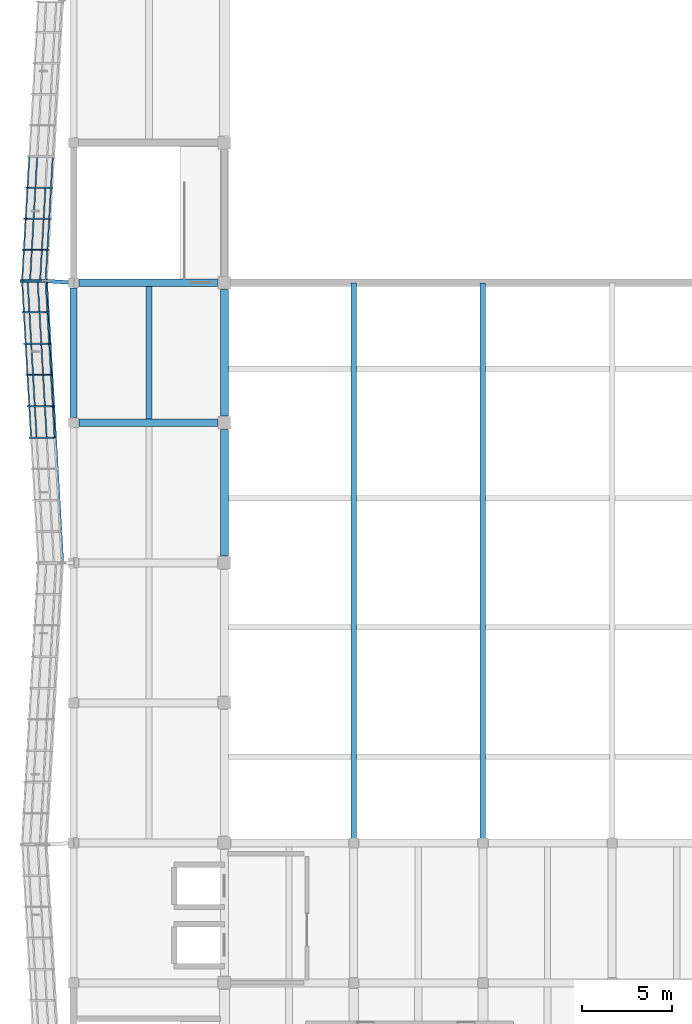
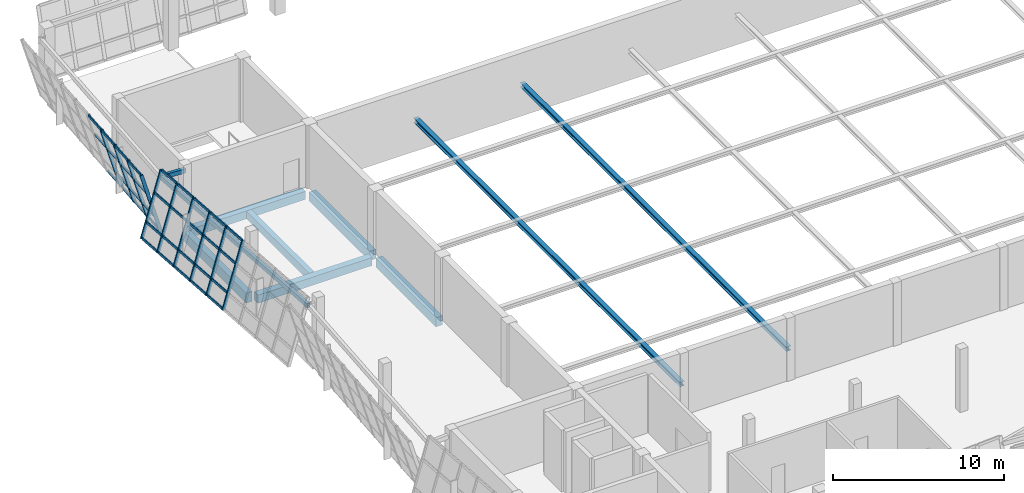
# One storey, part 15 of 67: 45 members, 10 beams, 2 elements without a shape of their own.
"""IFC4 building model written with IfcOpenShell, lengths in metres."""

from ifc_helpers import new_model, si_unit, direction, frame, origin, origin_2d, place, context, subcontext, project, spatial, rectangle, hollow_rectangle, i_section, extrude, material, material_profile, profile_set, type_object, element, aggregate, save


model = new_model("IFC4")

# Units and contexts
model_context = context("Model", 3, precision=1e-05, world=origin(), true_north=direction((0.0, 1.0)))
body_context = subcontext(model_context, "Body", "Model", "MODEL_VIEW")
ifc_project = project(units=[si_unit("LENGTHUNIT", "METRE"), si_unit("AREAUNIT", "SQUARE_METRE"), si_unit("VOLUMEUNIT", "CUBIC_METRE"), si_unit("PLANEANGLEUNIT", "RADIAN"), si_unit("MASSUNIT", "GRAM", prefix="KILO")], contexts=[model_context])

# Site, building, storey
site_placement = place(None, origin())
site = spatial("IfcSite", under=ifc_project, at=site_placement, CompositionType="ELEMENT")
building_placement = place(site_placement, origin())
building = spatial("IfcBuilding", under=site, at=building_placement, Name="Pellamere Symphony Hall", CompositionType="ELEMENT")
storey_placement = place(building_placement, frame((0.0, 0.0, 19.5)))
storey = spatial("IfcBuildingStorey", under=building, at=storey_placement, Name="L04", CompositionType="ELEMENT", Elevation=19.5)

# Curtain wall, members
ifc_material_1 = material(Name="Thermally Broken Anodised Aluminium 6063-T6 Curtain Wall", Category="aluminium")
curtain_wall_type = type_object("IfcCurtainWallType", Name="Curtain Wall CW-01 (Tilted Faceted Crystal Low-Iron Curtain Wall)", PredefinedType="NOTDEFINED", material=ifc_material_1)
curtain_wall_1_placement = place(storey_placement, origin())
curtain_wall_1 = element("IfcCurtainWall", 1, at=curtain_wall_1_placement, inside=storey, type_object=curtain_wall_type, Name="Crystal Faceted Curtain Wall CW-CR15 (L04)", PredefinedType="NOTDEFINED")
ifc_material_2 = material(Name="Anodised Architectural Aluminium 6063-T6", Category="aluminium")
ifc_material_profile_1 = material_profile(ifc_material_2, hollow_rectangle(XDim=0.074951171875, YDim=0.219970703125, WallThickness=0.0048828125, at=origin_2d()), Name="ALU-M75X220X5")
ifc_profile_set_1 = profile_set([ifc_material_profile_1], Name="Anodised Architectural Aluminium 6063-T6")
member_type_1 = type_object("IfcMemberType", Name="Curtain Wall Mullion ML-01 ALU-M75X220X5", PredefinedType="MULLION", material=ifc_profile_set_1)
member_1_placement = place(storey_placement, frame((49.14990234375, 82.699951171875, 0.0), z_axis=(-0.284024567884, 0.0, 0.95881700279), x_axis=(-0.055224537145, -0.998339941676, -0.01635883099)))
member_1 = element("IfcMember", 2, at=member_1_placement, type_object=member_type_1, Name="CW1-041 crystal mullion 7", PredefinedType="MULLION", context=body_context, shape_type="SweptSolid", body=[
    extrude(hollow_rectangle(XDim=0.074951171875, YDim=0.219970703125, WallThickness=0.0048828125, at=origin_2d()), origin(), (0.0, 0.0, 1.0), 4.693359375),
])
member_2_placement = place(storey_placement, frame((49.050048828125, 80.966552734375, 0.0), z_axis=(-0.284024567884, 0.0, 0.95881700279), x_axis=(-0.055224537145, -0.998339941676, -0.01635883099)))
member_2 = element("IfcMember", 3, at=member_2_placement, type_object=member_type_1, Name="CW1-041 crystal mullion 8", PredefinedType="MULLION", context=body_context, shape_type="SweptSolid", body=[
    extrude(hollow_rectangle(XDim=0.074951171875, YDim=0.219970703125, WallThickness=0.0048828125, at=origin_2d()), origin(), (0.0, 0.0, 1.0), 4.693359375),
])
member_3_placement = place(storey_placement, frame((48.949951171875, 79.2333984375, 0.0), z_axis=(-0.284024567884, 0.0, 0.95881700279), x_axis=(-0.055224537145, -0.998339941676, -0.01635883099)))
member_3 = element("IfcMember", 4, at=member_3_placement, type_object=member_type_1, Name="CW1-041 crystal mullion 9", PredefinedType="MULLION", context=body_context, shape_type="SweptSolid", body=[
    extrude(hollow_rectangle(XDim=0.074951171875, YDim=0.219970703125, WallThickness=0.0048828125, at=origin_2d()), origin(), (0.0, 0.0, 1.0), 4.693359375),
])
member_4_placement = place(storey_placement, frame((48.85205078125, 77.537353515625, 0.0), z_axis=(-0.284024567884, 0.0, 0.95881700279), x_axis=(-0.055224537145, -0.998339941676, -0.01635883099)))
member_4 = element("IfcMember", 5, at=member_4_placement, type_object=member_type_1, Name="CW1-041 crystal mullion 10", PredefinedType="MULLION", context=body_context, shape_type="SweptSolid", body=[
    extrude(hollow_rectangle(XDim=0.074951171875, YDim=0.219970703125, WallThickness=0.0048828125, at=origin_2d()), origin(), (0.0, 0.0, 1.0), 4.693359375),
])

curtain_wall_2_placement = place(storey_placement, origin())
curtain_wall_2 = element("IfcCurtainWall", 6, at=curtain_wall_2_placement, inside=storey, type_object=curtain_wall_type, Name="Crystal Faceted Curtain Wall CW-CR16 (L04)", PredefinedType="NOTDEFINED")
member_5_placement = place(storey_placement, frame((47.51904296875, 77.462646484375, 0.0), z_axis=(0.284024567884, 0.0, 0.95881700279), x_axis=(-0.054873944304, 0.99836096977, 0.016254976991)))
member_5 = element("IfcMember", 7, at=member_5_placement, type_object=member_type_1, Name="CW1-046 crystal mullion 1", PredefinedType="MULLION", context=body_context, shape_type="SweptSolid", body=[
    extrude(hollow_rectangle(XDim=0.074951171875, YDim=0.219970703125, WallThickness=0.0048828125, at=origin_2d()), origin(), (0.0, 0.0, 1.0), 4.693359375),
])
member_6_placement = place(storey_placement, frame((47.616943359375, 75.755615234375, 0.0), z_axis=(0.284024567884, 0.0, 0.95881700279), x_axis=(-0.054873944304, 0.99836096977, 0.016254976991)))
member_6 = element("IfcMember", 8, at=member_6_placement, type_object=member_type_1, Name="CW1-046 crystal mullion 2", PredefinedType="MULLION", context=body_context, shape_type="SweptSolid", body=[
    extrude(hollow_rectangle(XDim=0.074951171875, YDim=0.219970703125, WallThickness=0.0048828125, at=origin_2d()), origin(), (0.0, 0.0, 1.0), 4.693359375),
])
member_7_placement = place(storey_placement, frame((47.717041015625, 74.01123046875, 0.0), z_axis=(0.284024567884, 0.0, 0.95881700279), x_axis=(-0.054873944304, 0.99836096977, 0.016254976991)))
member_7 = element("IfcMember", 9, at=member_7_placement, type_object=member_type_1, Name="CW1-046 crystal mullion 3", PredefinedType="MULLION", context=body_context, shape_type="SweptSolid", body=[
    extrude(hollow_rectangle(XDim=0.074951171875, YDim=0.219970703125, WallThickness=0.0048828125, at=origin_2d()), origin(), (0.0, 0.0, 1.0), 4.693359375),
])
member_8_placement = place(storey_placement, frame((47.81689453125, 72.2666015625, 0.0), z_axis=(0.284024567884, 0.0, 0.95881700279), x_axis=(-0.054873944304, 0.99836096977, 0.016254976991)))
member_8 = element("IfcMember", 10, at=member_8_placement, type_object=member_type_1, Name="CW1-046 crystal mullion 4", PredefinedType="MULLION", context=body_context, shape_type="SweptSolid", body=[
    extrude(hollow_rectangle(XDim=0.074951171875, YDim=0.219970703125, WallThickness=0.0048828125, at=origin_2d()), origin(), (0.0, 0.0, 1.0), 4.693359375),
])
member_9_placement = place(storey_placement, frame((47.9169921875, 70.522216796875, 0.0), z_axis=(0.284024567884, 0.0, 0.95881700279), x_axis=(-0.054873944304, 0.99836096977, 0.016254976991)))
member_9 = element("IfcMember", 11, at=member_9_placement, type_object=member_type_1, Name="CW1-046 crystal mullion 5", PredefinedType="MULLION", context=body_context, shape_type="SweptSolid", body=[
    extrude(hollow_rectangle(XDim=0.074951171875, YDim=0.219970703125, WallThickness=0.0048828125, at=origin_2d()), origin(), (0.0, 0.0, 1.0), 4.693359375),
])
member_10_placement = place(storey_placement, frame((48.01708984375, 68.77783203125, 0.0), z_axis=(0.284024567884, 0.0, 0.95881700279), x_axis=(-0.054873944304, 0.99836096977, 0.016254976991)))
member_10 = element("IfcMember", 12, at=member_10_placement, type_object=member_type_1, Name="CW1-046 crystal mullion 6", PredefinedType="MULLION", context=body_context, shape_type="SweptSolid", body=[
    extrude(hollow_rectangle(XDim=0.074951171875, YDim=0.219970703125, WallThickness=0.0048828125, at=origin_2d()), origin(), (0.0, 0.0, 1.0), 4.693359375),
])

# Member
ifc_material_profile_2 = material_profile(ifc_material_2, hollow_rectangle(XDim=0.074951171875, YDim=0.179931640625, WallThickness=0.0048828125, at=origin_2d()), Name="ALU-T75X180X5")
ifc_profile_set_2 = profile_set([ifc_material_profile_2], Name="Anodised Architectural Aluminium 6063-T6")
member_type_2 = type_object("IfcMemberType", Name="Curtain Wall Transom TR-01 ALU-T75X180X5", PredefinedType="USERDEFINED", material=ifc_profile_set_2)
member_11_placement = place(storey_placement, frame((49.2373046875, 84.39599609375, 0.035888671875), z_axis=(-0.057610619545, -0.998339129012, 0.0), x_axis=(0.998339129012, -0.057610619545, 0.0)))
member_11 = element("IfcMember", 13, at=member_11_placement, type_object=member_type_2, Name="CW1-041 crystal transom 6.1", ObjectType="TRANSOM", PredefinedType="USERDEFINED", context=body_context, shape_type="SweptSolid", body=[
    extrude(hollow_rectangle(XDim=0.074951171875, YDim=0.179931640625, WallThickness=0.0048828125, at=origin_2d()), origin(), (0.0, 0.0, 1.0), 1.6611328125),
])

member_12_placement = place(storey_placement, frame((48.3681640625, 84.39599609375, 2.969970703125), z_axis=(-0.057610619545, -0.998339129012, 0.0), x_axis=(0.998339129012, -0.057610619545, 0.0)))
member_12 = element("IfcMember", 14, at=member_12_placement, type_object=member_type_2, Name="CW1-041 crystal transom 6.3", ObjectType="TRANSOM", PredefinedType="USERDEFINED", context=body_context, shape_type="SweptSolid", body=[
    extrude(hollow_rectangle(XDim=0.074951171875, YDim=0.179931640625, WallThickness=0.0048828125, at=origin_2d()), origin(), (0.0, 0.0, 1.0), 1.6611328125),
])

member_13_placement = place(storey_placement, frame((47.925537109375, 84.39599609375, 4.464111328125), z_axis=(-0.057610619545, -0.998339129012, 0.0), x_axis=(0.998339129012, -0.057610619545, 0.0)))
member_13 = element("IfcMember", 15, at=member_13_placement, type_object=member_type_2, Name="CW1-041 crystal transom 6.4", ObjectType="TRANSOM", PredefinedType="USERDEFINED", context=body_context, shape_type="SweptSolid", body=[
    extrude(hollow_rectangle(XDim=0.074951171875, YDim=0.179931640625, WallThickness=0.0048828125, at=origin_2d()), origin(), (0.0, 0.0, 1.0), 1.6611328125),
])

member_14_placement = place(storey_placement, frame((49.13720703125, 82.66259765625, 0.035888671875), z_axis=(-0.057610619545, -0.998339129012, 0.0), x_axis=(0.998339129012, -0.057610619545, 0.0)))
member_14 = element("IfcMember", 16, at=member_14_placement, type_object=member_type_2, Name="CW1-041 crystal transom 7.1", ObjectType="TRANSOM", PredefinedType="USERDEFINED", context=body_context, shape_type="SweptSolid", body=[
    extrude(hollow_rectangle(XDim=0.074951171875, YDim=0.179931640625, WallThickness=0.0048828125, at=origin_2d()), origin(), (0.0, 0.0, 1.0), 1.6611328125),
])

member_15_placement = place(storey_placement, frame((48.827880859375, 82.66259765625, 1.080078125), z_axis=(-0.057610619545, -0.998339129012, 0.0), x_axis=(0.998339129012, -0.057610619545, 0.0)))
member_15 = element("IfcMember", 17, at=member_15_placement, type_object=member_type_2, Name="CW1-041 crystal transom 7.2", ObjectType="TRANSOM", PredefinedType="USERDEFINED", context=body_context, shape_type="SweptSolid", body=[
    extrude(hollow_rectangle(XDim=0.074951171875, YDim=0.179931640625, WallThickness=0.0048828125, at=origin_2d()), origin(), (0.0, 0.0, 1.0), 1.6611328125),
])

member_16_placement = place(storey_placement, frame((48.26806640625, 82.66259765625, 2.969970703125), z_axis=(-0.057610619545, -0.998339129012, 0.0), x_axis=(0.998339129012, -0.057610619545, 0.0)))
member_16 = element("IfcMember", 18, at=member_16_placement, type_object=member_type_2, Name="CW1-041 crystal transom 7.3", ObjectType="TRANSOM", PredefinedType="USERDEFINED", context=body_context, shape_type="SweptSolid", body=[
    extrude(hollow_rectangle(XDim=0.074951171875, YDim=0.179931640625, WallThickness=0.0048828125, at=origin_2d()), origin(), (0.0, 0.0, 1.0), 1.6611328125),
])

member_17_placement = place(storey_placement, frame((47.825439453125, 82.66259765625, 4.464111328125), z_axis=(-0.057610619545, -0.998339129012, 0.0), x_axis=(0.998339129012, -0.057610619545, 0.0)))
member_17 = element("IfcMember", 19, at=member_17_placement, type_object=member_type_2, Name="CW1-041 crystal transom 7.4", ObjectType="TRANSOM", PredefinedType="USERDEFINED", context=body_context, shape_type="SweptSolid", body=[
    extrude(hollow_rectangle(XDim=0.074951171875, YDim=0.179931640625, WallThickness=0.0048828125, at=origin_2d()), origin(), (0.0, 0.0, 1.0), 1.6611328125),
])

member_18_placement = place(storey_placement, frame((49.037109375, 80.92919921875, 0.035888671875), z_axis=(-0.057610619545, -0.998339129012, 0.0), x_axis=(0.998339129012, -0.057610619545, 0.0)))
member_18 = element("IfcMember", 20, at=member_18_placement, type_object=member_type_2, Name="CW1-041 crystal transom 8.1", ObjectType="TRANSOM", PredefinedType="USERDEFINED", context=body_context, shape_type="SweptSolid", body=[
    extrude(hollow_rectangle(XDim=0.074951171875, YDim=0.179931640625, WallThickness=0.0048828125, at=origin_2d()), origin(), (0.0, 0.0, 1.0), 1.6611328125),
])

member_19_placement = place(storey_placement, frame((48.72802734375, 80.92919921875, 1.080078125), z_axis=(-0.057610619545, -0.998339129012, 0.0), x_axis=(0.998339129012, -0.057610619545, 0.0)))
member_19 = element("IfcMember", 21, at=member_19_placement, type_object=member_type_2, Name="CW1-041 crystal transom 8.2", ObjectType="TRANSOM", PredefinedType="USERDEFINED", context=body_context, shape_type="SweptSolid", body=[
    extrude(hollow_rectangle(XDim=0.074951171875, YDim=0.179931640625, WallThickness=0.0048828125, at=origin_2d()), origin(), (0.0, 0.0, 1.0), 1.6611328125),
])

member_20_placement = place(storey_placement, frame((48.16796875, 80.92919921875, 2.969970703125), z_axis=(-0.057610619545, -0.998339129012, 0.0), x_axis=(0.998339129012, -0.057610619545, 0.0)))
member_20 = element("IfcMember", 22, at=member_20_placement, type_object=member_type_2, Name="CW1-041 crystal transom 8.3", ObjectType="TRANSOM", PredefinedType="USERDEFINED", context=body_context, shape_type="SweptSolid", body=[
    extrude(hollow_rectangle(XDim=0.074951171875, YDim=0.179931640625, WallThickness=0.0048828125, at=origin_2d()), origin(), (0.0, 0.0, 1.0), 1.6611328125),
])

member_21_placement = place(storey_placement, frame((47.7255859375, 80.92919921875, 4.464111328125), z_axis=(-0.057610619545, -0.998339129012, 0.0), x_axis=(0.998339129012, -0.057610619545, 0.0)))
member_21 = element("IfcMember", 23, at=member_21_placement, type_object=member_type_2, Name="CW1-041 crystal transom 8.4", ObjectType="TRANSOM", PredefinedType="USERDEFINED", context=body_context, shape_type="SweptSolid", body=[
    extrude(hollow_rectangle(XDim=0.074951171875, YDim=0.179931640625, WallThickness=0.0048828125, at=origin_2d()), origin(), (0.0, 0.0, 1.0), 1.6611328125),
])

member_22_placement = place(storey_placement, frame((48.937255859375, 79.19580078125, 0.035888671875), z_axis=(-0.057593652861, -0.998340107954, 0.0), x_axis=(0.998340107954, -0.057593652861, 0.0)))
member_22 = element("IfcMember", 24, at=member_22_placement, type_object=member_type_2, Name="CW1-041 crystal transom 9.1", ObjectType="TRANSOM", PredefinedType="USERDEFINED", context=body_context, shape_type="SweptSolid", body=[
    extrude(hollow_rectangle(XDim=0.074951171875, YDim=0.179931640625, WallThickness=0.0048828125, at=origin_2d()), origin(), (0.0, 0.0, 1.0), 1.62353515625),
])

member_23_placement = place(storey_placement, frame((48.6279296875, 79.19580078125, 1.080078125), z_axis=(-0.057593652861, -0.998340107954, 0.0), x_axis=(0.998340107954, -0.057593652861, 0.0)))
member_23 = element("IfcMember", 25, at=member_23_placement, type_object=member_type_2, Name="CW1-041 crystal transom 9.2", ObjectType="TRANSOM", PredefinedType="USERDEFINED", context=body_context, shape_type="SweptSolid", body=[
    extrude(hollow_rectangle(XDim=0.074951171875, YDim=0.179931640625, WallThickness=0.0048828125, at=origin_2d()), origin(), (0.0, 0.0, 1.0), 1.62353515625),
])

member_24_placement = place(storey_placement, frame((48.068115234375, 79.19580078125, 2.969970703125), z_axis=(-0.057593652861, -0.998340107954, 0.0), x_axis=(0.998340107954, -0.057593652861, 0.0)))
member_24 = element("IfcMember", 26, at=member_24_placement, type_object=member_type_2, Name="CW1-041 crystal transom 9.3", ObjectType="TRANSOM", PredefinedType="USERDEFINED", context=body_context, shape_type="SweptSolid", body=[
    extrude(hollow_rectangle(XDim=0.074951171875, YDim=0.179931640625, WallThickness=0.0048828125, at=origin_2d()), origin(), (0.0, 0.0, 1.0), 1.62353515625),
])

member_25_placement = place(storey_placement, frame((47.62548828125, 79.19580078125, 4.464111328125), z_axis=(-0.057593652861, -0.998340107954, 0.0), x_axis=(0.998340107954, -0.057593652861, 0.0)))
member_25 = element("IfcMember", 27, at=member_25_placement, type_object=member_type_2, Name="CW1-041 crystal transom 9.4", ObjectType="TRANSOM", PredefinedType="USERDEFINED", context=body_context, shape_type="SweptSolid", body=[
    extrude(hollow_rectangle(XDim=0.074951171875, YDim=0.179931640625, WallThickness=0.0048828125, at=origin_2d()), origin(), (0.0, 0.0, 1.0), 1.62353515625),
])

aggregate(curtain_wall_1, [member_1, member_2, member_3, member_4, member_11, member_12, member_13, member_14, member_15, member_16, member_17, member_18, member_19, member_20, member_21, member_22, member_23, member_24, member_25])

member_26_placement = place(storey_placement, frame((47.531982421875, 77.425048828125, 0.035888671875), z_axis=(0.057198647566, -0.998362817175, 0.0), x_axis=(0.998362817175, 0.057198647566, 0.0)))
member_26 = element("IfcMember", 28, at=member_26_placement, type_object=member_type_2, Name="CW1-046 crystal transom 1.1", ObjectType="TRANSOM", PredefinedType="USERDEFINED", context=body_context, shape_type="SweptSolid", body=[
    extrude(hollow_rectangle(XDim=0.074951171875, YDim=0.179931640625, WallThickness=0.0048828125, at=origin_2d()), origin(), (0.0, 0.0, 1.0), 1.634765625),
])

member_27_placement = place(storey_placement, frame((47.84130859375, 77.425048828125, 1.080078125), z_axis=(0.057198647566, -0.998362817175, 0.0), x_axis=(0.998362817175, 0.057198647566, 0.0)))
member_27 = element("IfcMember", 29, at=member_27_placement, type_object=member_type_2, Name="CW1-046 crystal transom 1.2", ObjectType="TRANSOM", PredefinedType="USERDEFINED", context=body_context, shape_type="SweptSolid", body=[
    extrude(hollow_rectangle(XDim=0.074951171875, YDim=0.179931640625, WallThickness=0.0048828125, at=origin_2d()), origin(), (0.0, 0.0, 1.0), 1.634765625),
])

member_28_placement = place(storey_placement, frame((48.401123046875, 77.425048828125, 2.969970703125), z_axis=(0.057198647566, -0.998362817175, 0.0), x_axis=(0.998362817175, 0.057198647566, 0.0)))
member_28 = element("IfcMember", 30, at=member_28_placement, type_object=member_type_2, Name="CW1-046 crystal transom 1.3", ObjectType="TRANSOM", PredefinedType="USERDEFINED", context=body_context, shape_type="SweptSolid", body=[
    extrude(hollow_rectangle(XDim=0.074951171875, YDim=0.179931640625, WallThickness=0.0048828125, at=origin_2d()), origin(), (0.0, 0.0, 1.0), 1.634765625),
])

member_29_placement = place(storey_placement, frame((48.84375, 77.425048828125, 4.464111328125), z_axis=(0.057198647566, -0.998362817175, 0.0), x_axis=(0.998362817175, 0.057198647566, 0.0)))
member_29 = element("IfcMember", 31, at=member_29_placement, type_object=member_type_2, Name="CW1-046 crystal transom 1.4", ObjectType="TRANSOM", PredefinedType="USERDEFINED", context=body_context, shape_type="SweptSolid", body=[
    extrude(hollow_rectangle(XDim=0.074951171875, YDim=0.179931640625, WallThickness=0.0048828125, at=origin_2d()), origin(), (0.0, 0.0, 1.0), 1.634765625),
])

member_30_placement = place(storey_placement, frame((47.6298828125, 75.718017578125, 0.035888671875), z_axis=(0.057232737422, -0.998360863499, 0.0), x_axis=(0.998360863499, 0.057232737422, 0.0)))
member_30 = element("IfcMember", 32, at=member_30_placement, type_object=member_type_2, Name="CW1-046 crystal transom 2.1", ObjectType="TRANSOM", PredefinedType="USERDEFINED", context=body_context, shape_type="SweptSolid", body=[
    extrude(hollow_rectangle(XDim=0.074951171875, YDim=0.179931640625, WallThickness=0.0048828125, at=origin_2d()), origin(), (0.0, 0.0, 1.0), 1.672119140625),
])

member_31_placement = place(storey_placement, frame((47.93896484375, 75.718017578125, 1.080078125), z_axis=(0.057232737422, -0.998360863499, 0.0), x_axis=(0.998360863499, 0.057232737422, 0.0)))
member_31 = element("IfcMember", 33, at=member_31_placement, type_object=member_type_2, Name="CW1-046 crystal transom 2.2", ObjectType="TRANSOM", PredefinedType="USERDEFINED", context=body_context, shape_type="SweptSolid", body=[
    extrude(hollow_rectangle(XDim=0.074951171875, YDim=0.179931640625, WallThickness=0.0048828125, at=origin_2d()), origin(), (0.0, 0.0, 1.0), 1.672119140625),
])

member_32_placement = place(storey_placement, frame((48.4990234375, 75.718017578125, 2.969970703125), z_axis=(0.057232737422, -0.998360863499, 0.0), x_axis=(0.998360863499, 0.057232737422, 0.0)))
member_32 = element("IfcMember", 34, at=member_32_placement, type_object=member_type_2, Name="CW1-046 crystal transom 2.3", ObjectType="TRANSOM", PredefinedType="USERDEFINED", context=body_context, shape_type="SweptSolid", body=[
    extrude(hollow_rectangle(XDim=0.074951171875, YDim=0.179931640625, WallThickness=0.0048828125, at=origin_2d()), origin(), (0.0, 0.0, 1.0), 1.672119140625),
])

member_33_placement = place(storey_placement, frame((48.94140625, 75.718017578125, 4.464111328125), z_axis=(0.057232737422, -0.998360863499, 0.0), x_axis=(0.998360863499, 0.057232737422, 0.0)))
member_33 = element("IfcMember", 35, at=member_33_placement, type_object=member_type_2, Name="CW1-046 crystal transom 2.4", ObjectType="TRANSOM", PredefinedType="USERDEFINED", context=body_context, shape_type="SweptSolid", body=[
    extrude(hollow_rectangle(XDim=0.074951171875, YDim=0.179931640625, WallThickness=0.0048828125, at=origin_2d()), origin(), (0.0, 0.0, 1.0), 1.672119140625),
])

member_34_placement = place(storey_placement, frame((47.729736328125, 73.9736328125, 0.035888671875), z_axis=(0.057232737422, -0.998360863499, 0.0), x_axis=(0.998360863499, 0.057232737422, 0.0)))
member_34 = element("IfcMember", 36, at=member_34_placement, type_object=member_type_2, Name="CW1-046 crystal transom 3.1", ObjectType="TRANSOM", PredefinedType="USERDEFINED", context=body_context, shape_type="SweptSolid", body=[
    extrude(hollow_rectangle(XDim=0.074951171875, YDim=0.179931640625, WallThickness=0.0048828125, at=origin_2d()), origin(), (0.0, 0.0, 1.0), 1.672119140625),
])

member_35_placement = place(storey_placement, frame((48.0390625, 73.9736328125, 1.080078125), z_axis=(0.057232737422, -0.998360863499, 0.0), x_axis=(0.998360863499, 0.057232737422, 0.0)))
member_35 = element("IfcMember", 37, at=member_35_placement, type_object=member_type_2, Name="CW1-046 crystal transom 3.2", ObjectType="TRANSOM", PredefinedType="USERDEFINED", context=body_context, shape_type="SweptSolid", body=[
    extrude(hollow_rectangle(XDim=0.074951171875, YDim=0.179931640625, WallThickness=0.0048828125, at=origin_2d()), origin(), (0.0, 0.0, 1.0), 1.672119140625),
])

member_36_placement = place(storey_placement, frame((48.598876953125, 73.9736328125, 2.969970703125), z_axis=(0.057232737422, -0.998360863499, 0.0), x_axis=(0.998360863499, 0.057232737422, 0.0)))
member_36 = element("IfcMember", 38, at=member_36_placement, type_object=member_type_2, Name="CW1-046 crystal transom 3.3", ObjectType="TRANSOM", PredefinedType="USERDEFINED", context=body_context, shape_type="SweptSolid", body=[
    extrude(hollow_rectangle(XDim=0.074951171875, YDim=0.179931640625, WallThickness=0.0048828125, at=origin_2d()), origin(), (0.0, 0.0, 1.0), 1.672119140625),
])

member_37_placement = place(storey_placement, frame((49.04150390625, 73.9736328125, 4.464111328125), z_axis=(0.057232737422, -0.998360863499, 0.0), x_axis=(0.998360863499, 0.057232737422, 0.0)))
member_37 = element("IfcMember", 39, at=member_37_placement, type_object=member_type_2, Name="CW1-046 crystal transom 3.4", ObjectType="TRANSOM", PredefinedType="USERDEFINED", context=body_context, shape_type="SweptSolid", body=[
    extrude(hollow_rectangle(XDim=0.074951171875, YDim=0.179931640625, WallThickness=0.0048828125, at=origin_2d()), origin(), (0.0, 0.0, 1.0), 1.672119140625),
])

member_38_placement = place(storey_placement, frame((47.829833984375, 72.229248046875, 0.035888671875), z_axis=(0.057224396245, -0.998361341637, 0.0), x_axis=(0.998361341637, 0.057224396245, 0.0)))
member_38 = element("IfcMember", 40, at=member_38_placement, type_object=member_type_2, Name="CW1-046 crystal transom 4.1", ObjectType="TRANSOM", PredefinedType="USERDEFINED", context=body_context, shape_type="SweptSolid", body=[
    extrude(hollow_rectangle(XDim=0.074951171875, YDim=0.179931640625, WallThickness=0.0048828125, at=origin_2d()), origin(), (0.0, 0.0, 1.0), 1.67236328125),
])

member_39_placement = place(storey_placement, frame((48.13916015625, 72.229248046875, 1.080078125), z_axis=(0.057224396245, -0.998361341637, 0.0), x_axis=(0.998361341637, 0.057224396245, 0.0)))
member_39 = element("IfcMember", 41, at=member_39_placement, type_object=member_type_2, Name="CW1-046 crystal transom 4.2", ObjectType="TRANSOM", PredefinedType="USERDEFINED", context=body_context, shape_type="SweptSolid", body=[
    extrude(hollow_rectangle(XDim=0.074951171875, YDim=0.179931640625, WallThickness=0.0048828125, at=origin_2d()), origin(), (0.0, 0.0, 1.0), 1.67236328125),
])

member_40_placement = place(storey_placement, frame((48.698974609375, 72.229248046875, 2.969970703125), z_axis=(0.057224396245, -0.998361341637, 0.0), x_axis=(0.998361341637, 0.057224396245, 0.0)))
member_40 = element("IfcMember", 42, at=member_40_placement, type_object=member_type_2, Name="CW1-046 crystal transom 4.3", ObjectType="TRANSOM", PredefinedType="USERDEFINED", context=body_context, shape_type="SweptSolid", body=[
    extrude(hollow_rectangle(XDim=0.074951171875, YDim=0.179931640625, WallThickness=0.0048828125, at=origin_2d()), origin(), (0.0, 0.0, 1.0), 1.67236328125),
])

member_41_placement = place(storey_placement, frame((49.1416015625, 72.229248046875, 4.464111328125), z_axis=(0.057224396245, -0.998361341637, 0.0), x_axis=(0.998361341637, 0.057224396245, 0.0)))
member_41 = element("IfcMember", 43, at=member_41_placement, type_object=member_type_2, Name="CW1-046 crystal transom 4.4", ObjectType="TRANSOM", PredefinedType="USERDEFINED", context=body_context, shape_type="SweptSolid", body=[
    extrude(hollow_rectangle(XDim=0.074951171875, YDim=0.179931640625, WallThickness=0.0048828125, at=origin_2d()), origin(), (0.0, 0.0, 1.0), 1.67236328125),
])

member_42_placement = place(storey_placement, frame((47.9296875, 70.48486328125, 0.035888671875), z_axis=(0.057224396245, -0.998361341637, 0.0), x_axis=(0.998361341637, 0.057224396245, 0.0)))
member_42 = element("IfcMember", 44, at=member_42_placement, type_object=member_type_2, Name="CW1-046 crystal transom 5.1", ObjectType="TRANSOM", PredefinedType="USERDEFINED", context=body_context, shape_type="SweptSolid", body=[
    extrude(hollow_rectangle(XDim=0.074951171875, YDim=0.179931640625, WallThickness=0.0048828125, at=origin_2d()), origin(), (0.0, 0.0, 1.0), 1.67236328125),
])

member_43_placement = place(storey_placement, frame((48.239013671875, 70.48486328125, 1.080078125), z_axis=(0.057224396245, -0.998361341637, 0.0), x_axis=(0.998361341637, 0.057224396245, 0.0)))
member_43 = element("IfcMember", 45, at=member_43_placement, type_object=member_type_2, Name="CW1-046 crystal transom 5.2", ObjectType="TRANSOM", PredefinedType="USERDEFINED", context=body_context, shape_type="SweptSolid", body=[
    extrude(hollow_rectangle(XDim=0.074951171875, YDim=0.179931640625, WallThickness=0.0048828125, at=origin_2d()), origin(), (0.0, 0.0, 1.0), 1.67236328125),
])

member_44_placement = place(storey_placement, frame((48.798828125, 70.48486328125, 2.969970703125), z_axis=(0.057224396245, -0.998361341637, 0.0), x_axis=(0.998361341637, 0.057224396245, 0.0)))
member_44 = element("IfcMember", 46, at=member_44_placement, type_object=member_type_2, Name="CW1-046 crystal transom 5.3", ObjectType="TRANSOM", PredefinedType="USERDEFINED", context=body_context, shape_type="SweptSolid", body=[
    extrude(hollow_rectangle(XDim=0.074951171875, YDim=0.179931640625, WallThickness=0.0048828125, at=origin_2d()), origin(), (0.0, 0.0, 1.0), 1.67236328125),
])

member_45_placement = place(storey_placement, frame((49.241455078125, 70.48486328125, 4.464111328125), z_axis=(0.057224396245, -0.998361341637, 0.0), x_axis=(0.998361341637, 0.057224396245, 0.0)))
member_45 = element("IfcMember", 47, at=member_45_placement, type_object=member_type_2, Name="CW1-046 crystal transom 5.4", ObjectType="TRANSOM", PredefinedType="USERDEFINED", context=body_context, shape_type="SweptSolid", body=[
    extrude(hollow_rectangle(XDim=0.074951171875, YDim=0.179931640625, WallThickness=0.0048828125, at=origin_2d()), origin(), (0.0, 0.0, 1.0), 1.67236328125),
])

aggregate(curtain_wall_2, [member_5, member_6, member_7, member_8, member_9, member_10, member_26, member_27, member_28, member_29, member_30, member_31, member_32, member_33, member_34, member_35, member_36, member_37, member_38, member_39, member_40, member_41, member_42, member_43, member_44, member_45])

# Beams
ifc_material_3 = material(Name="Concrete 40 MPa", Category="concrete")
ifc_material_profile_3 = material_profile(ifc_material_3, rectangle(XDim=0.449951171875, YDim=0.64990234375, at=origin_2d()), Name="RC 450x650")
ifc_profile_set_3 = profile_set([ifc_material_profile_3], Name="Concrete 40 MPa")
beam_type_1 = type_object("IfcBeamType", Name="RC CB-08 450x650", PredefinedType="BEAM", material=ifc_profile_set_3)
beam_1_placement = place(storey_placement, frame((58.800048828125, 62.175048828125, -0.5849609375), z_axis=(0.0, 1.0, 0.0), x_axis=(-1.0, 0.0, 0.0)))
element("IfcBeam", 48, at=beam_1_placement, inside=storey, type_object=beam_type_1, Name="Girder CB-08-Y1882 (L04)", PredefinedType="BEAM", context=body_context, shape_type="SweptSolid", body=[
    extrude(rectangle(XDim=0.449951171875, YDim=0.64990234375, at=origin_2d()), origin(), (0.0, 0.0, 1.0), 7.050048828125),
])
beam_2_placement = place(storey_placement, frame((58.800048828125, 69.97509765625, -0.5849609375), z_axis=(0.0, 1.0, 0.0), x_axis=(-1.0, 0.0, 0.0)))
element("IfcBeam", 49, at=beam_2_placement, inside=storey, type_object=beam_type_1, Name="Girder CB-08-Y1883 (L04)", PredefinedType="BEAM", context=body_context, shape_type="SweptSolid", body=[
    extrude(rectangle(XDim=0.449951171875, YDim=0.64990234375, at=origin_2d()), origin(), (0.0, 0.0, 1.0), 7.0498046875),
])
ifc_material_4 = material(Name="Concrete 35 MPa", Category="concrete")
ifc_material_profile_4 = material_profile(ifc_material_4, rectangle(XDim=0.35009765625, YDim=0.550048828125, at=origin_2d()), Name="RC 350x550")
ifc_profile_set_4 = profile_set([ifc_material_profile_4], Name="Concrete 35 MPa")
beam_type_2 = type_object("IfcBeamType", Name="RC CB-10 350x550", PredefinedType="BEAM", material=ifc_profile_set_4)
beam_3_placement = place(storey_placement, frame((54.60009765625, 69.820068359375, -0.550048828125), z_axis=(0.0, 1.0, 0.0), x_axis=(-1.0, 0.0, 0.0)))
element("IfcBeam", 50, at=beam_3_placement, inside=storey, type_object=beam_type_2, Name="Secondary Floor Beam CB-10-M0609 (L04)", PredefinedType="BEAM", context=body_context, shape_type="SweptSolid", body=[
    extrude(rectangle(XDim=0.35009765625, YDim=0.550048828125, at=origin_2d()), origin(), (0.0, 0.0, 1.0), 7.35986328125),
])
ifc_material_profile_5 = material_profile(ifc_material_3, rectangle(XDim=0.39990234375, YDim=0.699951171875, at=origin_2d()), Name="RC 400x700")
ifc_profile_set_5 = profile_set([ifc_material_profile_5], Name="Concrete 40 MPa")
beam_type_3 = type_object("IfcBeamType", Name="RC CB-13 400x700", PredefinedType="SPANDREL", material=ifc_profile_set_5)
beam_4_placement = place(storey_placement, frame((50.39990234375, 69.89990234375, -0.610107421875), z_axis=(0.0, 1.0, 0.0), x_axis=(-1.0, 0.0, 0.0)))
element("IfcBeam", 51, at=beam_4_placement, inside=storey, type_object=beam_type_3, Name="Girder CB-13-Y1875 (L04)", PredefinedType="SPANDREL", context=body_context, shape_type="SweptSolid", body=[
    extrude(rectangle(XDim=0.39990234375, YDim=0.699951171875, at=origin_2d()), origin(), (0.0, 0.0, 1.0), 7.2001953125),
])
ifc_material_profile_6 = material_profile(ifc_material_3, rectangle(XDim=0.43994140625, YDim=0.580078125, at=origin_2d()), Name="RC 440x580")
ifc_profile_set_6 = profile_set([ifc_material_profile_6], Name="Concrete 40 MPa")
beam_type_4 = type_object("IfcBeamType", Name="RC CB-20 440x580", PredefinedType="BEAM", material=ifc_profile_set_6)
for number, where, z_axis, x_axis, name in (
    (52, (50.699951171875, 69.60009765625, -0.550048828125), (1.0, 0.0, 0.0), (0.0, 1.0, 0.0), "Girder CB-20-X1854 (L04)"),
    (53, (50.699951171875, 77.39990234375, -0.550048828125), (1.0, 0.0, 0.0), (0.0, 1.0, 0.0), "Girder CB-20-X1859 (L04)"),
):
    element("IfcBeam", number, at=place(storey_placement, frame(where, z_axis=z_axis, x_axis=x_axis)), inside=storey, type_object=beam_type_4, Name=name, PredefinedType="BEAM", context=body_context, shape_type="SweptSolid", body=[
        extrude(rectangle(XDim=0.43994140625, YDim=0.580078125, at=origin_2d()), origin(), (0.0, 0.0, 1.0), 7.72509765625),
    ])
ifc_material_5 = material(Name="Steel CSA G40.21 350W", Category="steel")
ifc_material_profile_7 = material_profile(ifc_material_5, i_section(OverallWidth=0.304931640625, OverallDepth=0.30810546875, WebThickness=0.010009765625, FlangeThickness=0.015380859375, at=origin_2d()), Name="W310X97")
ifc_profile_set_7 = profile_set([ifc_material_profile_7], Name="Steel CSA G40.21 350W")
beam_type_5 = type_object("IfcBeamType", Name="Steel Beam SB-22 W310X97", PredefinedType="BEAM", material=ifc_profile_set_7)
for number, where, z_axis, x_axis, name in (
    (54, (66.0, 46.199951171875, 2.10009765625), (0.0, 1.0, 0.0), (-1.0, 0.0, 0.0), "Hall Rigging Grid Tie Beam 01"),
    (55, (73.199951171875, 46.199951171875, 2.10009765625), (0.0, 1.0, 0.0), (-1.0, 0.0, 0.0), "Hall Rigging Grid Tie Beam 02"),
):
    element("IfcBeam", number, at=place(storey_placement, frame(where, z_axis=z_axis, x_axis=x_axis)), inside=storey, type_object=beam_type_5, Name=name, PredefinedType="BEAM", context=body_context, shape_type="SweptSolid", body=[
        extrude(i_section(OverallWidth=0.304931640625, OverallDepth=0.30810546875, WebThickness=0.010009765625, FlangeThickness=0.015380859375, at=origin_2d()), origin(), (0.0, 0.0, 1.0), 31.199951171875),
    ])
ifc_material_profile_8 = material_profile(ifc_material_5, hollow_rectangle(XDim=0.203125, YDim=0.3046875, WallThickness=0.0126953125, at=origin_2d()), Name="HSS305X203X13")
ifc_profile_set_8 = profile_set([ifc_material_profile_8], Name="Steel CSA G40.21 350W")
beam_type_6 = type_object("IfcBeamType", Name="Steel Spandrel SB-26 HSS305X203X13", PredefinedType="SPANDREL", material=ifc_profile_set_8)
beam_5_placement = place(storey_placement, frame((50.39990234375, 77.39990234375, 3.93994140625), z_axis=(-0.997920745151, 0.064452978184, 0.0), x_axis=(-0.064452978184, -0.997920745151, 0.0)))
element("IfcBeam", 56, at=beam_5_placement, inside=storey, type_object=beam_type_6, Name="Crystal Ring Outrigger Bracket 095 (L04)", PredefinedType="SPANDREL", context=body_context, shape_type="SweptSolid", body=[
    extrude(hollow_rectangle(XDim=0.203125, YDim=0.3046875, WallThickness=0.0126953125, at=origin_2d()), origin(), (0.0, 0.0, 1.0), 1.552978515625),
])
beam_6_placement = place(storey_placement, frame((48.85009765625, 77.5, 3.93994140625), z_axis=(0.057224871396, -0.998361314402, 0.0), x_axis=(0.998361314402, 0.057224871396, 0.0)))
element("IfcBeam", 57, at=beam_6_placement, inside=storey, type_object=beam_type_6, Name="Crystal Perimeter Ring Beam CW-CR16 (L04)", PredefinedType="SPANDREL", context=body_context, shape_type="SweptSolid", body=[
    extrude(hollow_rectangle(XDim=0.203125, YDim=0.3046875, WallThickness=0.0126953125, at=origin_2d()), origin(), (0.0, 0.0, 1.0), 15.725830078125),
])

save(model, "model.ifc")
